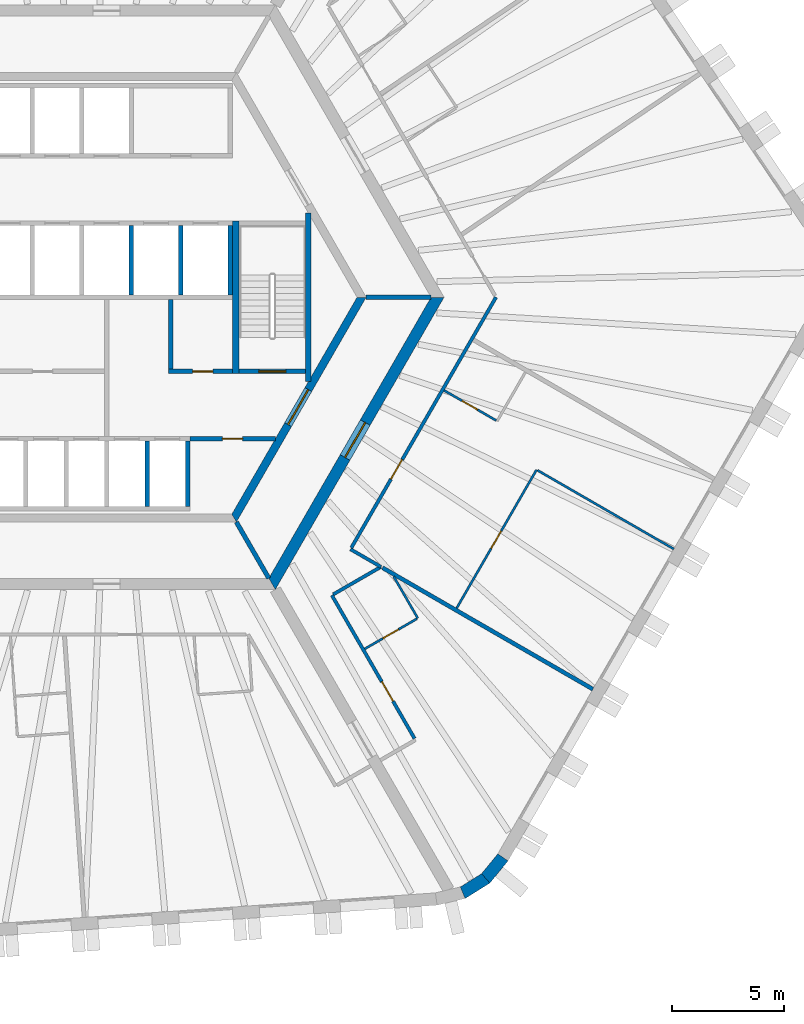
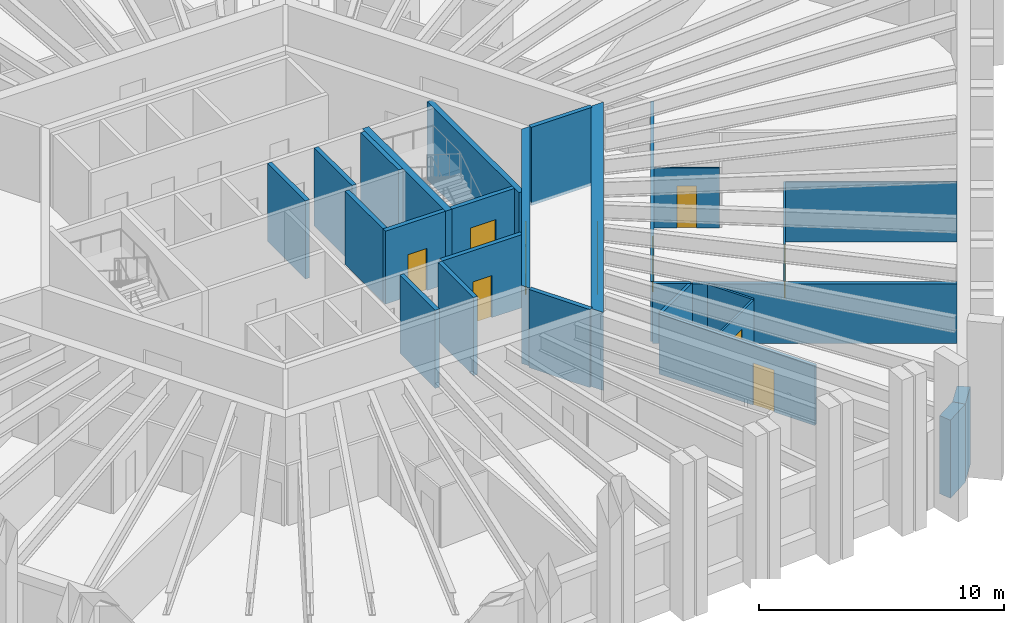
# One storey, part 5 of 11: 27 walls, 10 doors, 10 openings.
"""IFC4 building model written with IfcOpenShell, lengths in metres."""

from ifc_helpers import new_model, si_unit, direction, frame, frame_2d, origin, place, context, subcontext, project, spatial, polyline, rectangle, outline, extrude, material, layer, layer_set, type_object, element, fill, save


model = new_model("IFC4")

# Units and contexts
model_context = context("Model", 3, precision=1e-05, world=origin(), true_north=direction((0.0, 1.0)))
body_context = subcontext(model_context, "Body", "Model", "MODEL_VIEW")
ifc_project = project(units=[si_unit("LENGTHUNIT", "METRE"), si_unit("AREAUNIT", "SQUARE_METRE"), si_unit("VOLUMEUNIT", "CUBIC_METRE"), si_unit("PLANEANGLEUNIT", "RADIAN"), si_unit("MASSUNIT", "GRAM", prefix="KILO")], contexts=[model_context])

# Site, building, storey
site_placement = place(None, origin())
site = spatial("IfcSite", under=ifc_project, at=site_placement, CompositionType="ELEMENT")
building_placement = place(site_placement, origin())
building = spatial("IfcBuilding", under=site, at=building_placement, Name="Tarnside Tower", CompositionType="ELEMENT")
storey_placement = place(building_placement, frame((0.0, 0.0, 207.300048828125)))
storey = spatial("IfcBuildingStorey", under=building, at=storey_placement, Name="L49", CompositionType="ELEMENT", Elevation=207.300048828125)

# Wall
ifc_material_1 = material(Name="Gypsum board partition on steel studs", Category="steel")
ifc_layer_1 = layer(ifc_material_1, 0.10009765625)
ifc_layer_set_1 = layer_set([ifc_layer_1], Name="Bathroom wall 100")
wall_type_1 = type_object("IfcWallType", Name="Bathroom wall 100", PredefinedType="PARTITIONING", material=ifc_layer_set_1)
wall_1_placement = place(storey_placement, frame((12.7724609375, -12.4228515625, 0.0), z_axis=(0.0, 0.0, 1.0), x_axis=(0.500061136393, -0.865990103794, 0.0)))
element("IfcWall", 1, at=wall_1_placement, inside=storey, type_object=wall_type_1, Name="Bathroom wall 16095", PredefinedType="PARTITIONING", context=body_context, shape_type="SweptSolid", body=[
    extrude(rectangle(XDim=2.142333984375, YDim=0.10009765625, at=frame_2d((1.0712890625, 0.0))), origin(), (0.0, 0.0, 1.0), 2.98779296875),
])

# Wall, opening, door
wall_2_placement = place(storey_placement, frame((13.80029296875, -14.302978515625, 0.0), z_axis=(0.0, 0.0, 1.0), x_axis=(-0.866021425885, -0.500006889861, 0.0)))
wall_2 = element("IfcWall", 2, at=wall_2_placement, inside=storey, type_object=wall_type_1, Name="Bathroom wall 16096", PredefinedType="PARTITIONING", context=body_context, shape_type="SweptSolid", body=[
    extrude(rectangle(XDim=2.6748046875, YDim=0.10009765625, at=frame_2d((1.33740234375, 0.0))), origin(), (0.0, 0.0, 1.0), 2.98779296875),
])
opening_1_placement = place(wall_2_placement, frame((0.949951171875, 0.0, 0.0)))
opening_1 = element("IfcOpeningElement", 3, at=opening_1_placement, cuts=wall_2, Name="Opening D-B1", PredefinedType="OPENING", context=body_context, shape_type="SweptSolid", body=[
    extrude(rectangle(XDim=0.800048828125, YDim=2.10009765625, at=frame_2d((0.39990234375, 1.050048828125))), frame((0.0, 0.06005859375, 0.0), z_axis=(0.0, -1.0, 0.0), x_axis=(1.0, 0.0, 0.0)), (0.0, 0.0, 1.0), 0.1201171875),
])
ifc_material_2 = material(Name="Timber door leaf", Category="wood")
door_type_1 = type_object("IfcDoorType", Name="Bathroom door 800", OperationType="NOTDEFINED", PredefinedType="DOOR", material=ifc_material_2)
door_1_placement = place(opening_1_placement, origin())
door_1 = element("IfcDoor", 4, at=door_1_placement, inside=storey, type_object=door_type_1, Name="Bathroom door 16026", OperationType="SINGLE_SWING_RIGHT", OverallHeight=2.10009765625, OverallWidth=0.800048828125, PredefinedType="DOOR", context=body_context, shape_type="SweptSolid", body=[
    extrude(rectangle(XDim=0.800048828125, YDim=2.10009765625, at=frame_2d((0.39990234375, 1.050048828125))), frame((0.0, 0.02490234375, 0.0), z_axis=(0.0, -1.0, 0.0), x_axis=(1.0, 0.0, 0.0)), (0.0, 0.0, 1.0), 0.050048828125),
])
fill(opening_1, door_1)

wall_3_placement = place(storey_placement, frame((17.330810546875, -5.48193359375, 0.0), z_axis=(0.0, 0.0, 1.0), x_axis=(-0.86604424267, 0.499967368674, 0.0)))
wall_3 = element("IfcWall", 5, at=wall_3_placement, inside=storey, type_object=wall_type_1, Name="Bathroom wall 16101", PredefinedType="PARTITIONING", context=body_context, shape_type="SweptSolid", body=[
    extrude(rectangle(XDim=2.675048828125, YDim=0.10009765625, at=frame_2d((1.33740234375, 0.0))), origin(), (0.0, 0.0, 1.0), 2.98779296875),
])
opening_2_placement = place(wall_3_placement, frame((0.949951171875, 0.0, 0.0)))
opening_2 = element("IfcOpeningElement", 6, at=opening_2_placement, cuts=wall_3, Name="Opening D-B1", PredefinedType="OPENING", context=body_context, shape_type="SweptSolid", body=[
    extrude(rectangle(XDim=0.800048828125, YDim=2.10009765625, at=frame_2d((0.39990234375, 1.050048828125))), frame((0.0, 0.06005859375, 0.0), z_axis=(0.0, -1.0, 0.0), x_axis=(1.0, 0.0, 0.0)), (0.0, 0.0, 1.0), 0.1201171875),
])
door_2_placement = place(opening_2_placement, origin())
door_2 = element("IfcDoor", 7, at=door_2_placement, inside=storey, type_object=door_type_1, Name="Bathroom door 16028", OperationType="SINGLE_SWING_LEFT", OverallHeight=2.10009765625, OverallWidth=0.800048828125, PredefinedType="DOOR", context=body_context, shape_type="SweptSolid", body=[
    extrude(rectangle(XDim=0.800048828125, YDim=2.10009765625, at=frame_2d((0.39990234375, 1.050048828125))), frame((0.0, 0.02490234375, 0.0), z_axis=(0.0, -1.0, 0.0), x_axis=(1.0, 0.0, 0.0)), (0.0, 0.0, 1.0), 0.050048828125),
])
fill(opening_2, door_2)

ifc_material_3 = material(Name="Concrete C50/60", Category="concrete")
ifc_layer_2 = layer(ifc_material_3, 0.35009765625)
ifc_layer_set_2 = layer_set([ifc_layer_2], Name="Core block wall 350 C50/60")
wall_type_2 = type_object("IfcWallType", Name="Core block wall 350 C50/60", PredefinedType="SHEAR", material=ifc_layer_set_2)
wall_4_placement = place(storey_placement, frame((5.672607421875, -9.824951171875, -0.150146484375), z_axis=(0.0, 0.0, 1.0), x_axis=(0.499995046907, 0.866028263435, 0.0)))
wall_4 = element("IfcWall", 8, at=wall_4_placement, inside=storey, type_object=wall_type_2, Name="L49 core block wall face 5", PredefinedType="SHEAR", context=body_context, shape_type="SweptSolid", body=[
    extrude(outline(polyline([(-0.10107421875, -0.175048828125), (11.44580078125, -0.175048828125), (11.24365234375, 0.175048828125), (0.10107421875, 0.175048828125), (-0.10107421875, -0.175048828125)])), origin(), (0.0, 0.0, 1.0), 3.900146484375),
])
opening_3_placement = place(wall_4_placement, frame((4.80126953125, 0.0, 0.14990234375)))
opening_3 = element("IfcOpeningElement", 9, at=opening_3_placement, cuts=wall_4, Name="Opening CD-FFL", PredefinedType="OPENING", context=body_context, shape_type="SweptSolid", body=[
    extrude(rectangle(XDim=1.800048828125, YDim=2.39990234375, at=frame_2d((0.89990234375, 1.199951171875))), frame((0.0, 0.18505859375, 0.0), z_axis=(0.0, -1.0, 0.0), x_axis=(1.0, 0.0, 0.0)), (0.0, 0.0, 1.0), 0.3701171875),
])
ifc_material_4 = material(Name="Steel fire door", Category="steel")
door_type_2 = type_object("IfcDoorType", Name="Firefighting lobby double door FD60S 1800x2400", OperationType="NOTDEFINED", PredefinedType="DOOR", material=ifc_material_4)
door_3_placement = place(opening_3_placement, origin())
door_3 = element("IfcDoor", 10, at=door_3_placement, inside=storey, type_object=door_type_2, Name="L49 lobby block door P4", OperationType="DOUBLE_DOOR_SINGLE_SWING", OverallHeight=2.39990234375, OverallWidth=1.800048828125, PredefinedType="DOOR", context=body_context, shape_type="SweptSolid", body=[
    extrude(rectangle(XDim=1.800048828125, YDim=2.39990234375, at=frame_2d((0.89990234375, 1.199951171875))), frame((0.0, 0.02490234375, 0.0), z_axis=(0.0, -1.0, 0.0), x_axis=(1.0, 0.0, 0.0)), (0.0, 0.0, 1.0), 0.050048828125),
])
fill(opening_3, door_3)

ifc_material_5 = material(Name="Concrete C40/50", Category="concrete")
ifc_layer_3 = layer(ifc_material_5, 0.199951171875)
ifc_layer_set_3 = layer_set([ifc_layer_3], Name="Core room partition 200 C40/50")
wall_type_3 = type_object("IfcWallType", Name="Core room partition 200 C40/50", PredefinedType="PARTITIONING", material=ifc_layer_set_3)
wall_5_placement = place(storey_placement, frame((2.75, -3.300048828125, 0.0), z_axis=(0.0, 0.0, 1.0), x_axis=(1.0, 0.0, 0.0)))
wall_5 = element("IfcWall", 11, at=wall_5_placement, inside=storey, type_object=wall_type_3, Name="L49 core partition R3S1", PredefinedType="PARTITIONING", context=body_context, shape_type="SweptSolid", body=[
    extrude(rectangle(XDim=2.85009765625, YDim=0.199951171875, at=frame_2d((1.425048828125, 0.0))), origin(), (0.0, 0.0, 1.0), 3.64990234375),
])
opening_4_placement = place(wall_5_placement, frame((1.074951171875, 0.0, 0.0)))
opening_4 = element("IfcOpeningElement", 12, at=opening_4_placement, cuts=wall_5, Name="Opening CD-room", PredefinedType="OPENING", context=body_context, shape_type="SweptSolid", body=[
    extrude(rectangle(XDim=0.89990234375, YDim=2.10009765625, at=frame_2d((0.449951171875, 1.050048828125))), frame((0.0, 0.10986328125, 0.0), z_axis=(0.0, -1.0, 0.0), x_axis=(1.0, 0.0, 0.0)), (0.0, 0.0, 1.0), 0.219970703125),
])
door_type_3 = type_object("IfcDoorType", Name="Room door FD60 900x2100", OperationType="NOTDEFINED", PredefinedType="DOOR", material=ifc_material_4)
door_4_placement = place(opening_4_placement, origin())
door_4 = element("IfcDoor", 13, at=door_4_placement, inside=storey, type_object=door_type_3, Name="L49 core room door SR1", OperationType="SINGLE_SWING_LEFT", OverallHeight=2.10009765625, OverallWidth=0.89990234375, PredefinedType="DOOR", context=body_context, shape_type="SweptSolid", body=[
    extrude(rectangle(XDim=0.89990234375, YDim=2.10009765625, at=frame_2d((0.449951171875, 1.050048828125))), frame((0.0, 0.02490234375, 0.0), z_axis=(0.0, -1.0, 0.0), x_axis=(1.0, 0.0, 0.0)), (0.0, 0.0, 1.0), 0.050048828125),
])
fill(opening_4, door_4)

# Wall
wall_6_placement = place(storey_placement, frame((2.85009765625, -3.199951171875, 0.0), z_axis=(0.0, 0.0, 1.0), x_axis=(0.0, 1.0, 0.0)))
element("IfcWall", 14, at=wall_6_placement, inside=storey, type_object=wall_type_3, Name="L49 core partition R3P1a", PredefinedType="PARTITIONING", context=body_context, shape_type="SweptSolid", body=[
    extrude(rectangle(XDim=3.099853515625, YDim=0.199951171875, at=frame_2d((1.5498046875, 0.0))), origin(), (0.0, 0.0, 1.0), 3.64990234375),
])

# Wall, opening, door
wall_7_placement = place(storey_placement, frame((3.699951171875, -6.300048828125, 0.0), z_axis=(0.0, 0.0, 1.0), x_axis=(1.0, 0.0, 0.0)))
wall_7 = element("IfcWall", 15, at=wall_7_placement, inside=storey, type_object=wall_type_3, Name="L49 core partition R4X", PredefinedType="PARTITIONING", context=body_context, shape_type="SweptSolid", body=[
    extrude(rectangle(XDim=3.8056640625, YDim=0.199951171875, at=frame_2d((1.90283203125, 0.0))), origin(), (0.0, 0.0, 1.0), 3.64990234375),
])
opening_5_placement = place(wall_7_placement, frame((1.452880859375, 0.0, 0.0)))
opening_5 = element("IfcOpeningElement", 16, at=opening_5_placement, cuts=wall_7, Name="Opening CD-room", PredefinedType="OPENING", context=body_context, shape_type="SweptSolid", body=[
    extrude(rectangle(XDim=0.89990234375, YDim=2.10009765625, at=frame_2d((0.449951171875, 1.050048828125))), frame((0.0, 0.10986328125, 0.0), z_axis=(0.0, -1.0, 0.0), x_axis=(1.0, 0.0, 0.0)), (0.0, 0.0, 1.0), 0.219970703125),
])
door_5_placement = place(opening_5_placement, origin())
door_5 = element("IfcDoor", 17, at=door_5_placement, inside=storey, type_object=door_type_3, Name="L49 core room door RX", OperationType="SINGLE_SWING_LEFT", OverallHeight=2.10009765625, OverallWidth=0.89990234375, PredefinedType="DOOR", context=body_context, shape_type="SweptSolid", body=[
    extrude(rectangle(XDim=0.89990234375, YDim=2.10009765625, at=frame_2d((0.449951171875, 1.050048828125))), frame((0.0, 0.02490234375, 0.0), z_axis=(0.0, -1.0, 0.0), x_axis=(1.0, 0.0, 0.0)), (0.0, 0.0, 1.0), 0.050048828125),
])
fill(opening_5, door_5)

ifc_material_6 = material(Name="Concrete C70/85", Category="concrete")
ifc_layer_4 = layer(ifc_material_6, 0.5)
ifc_layer_set_4 = layer_set([ifc_layer_4], Name="Core wall Z2 500 C70/85")
wall_type_4 = type_object("IfcWallType", Name="Core wall Z2 500 C70/85", PredefinedType="SHEAR", material=ifc_layer_set_4)
wall_8_placement = place(storey_placement, frame((7.361083984375, -12.75, -0.150146484375), z_axis=(0.0, 0.0, 1.0), x_axis=(0.50000571537, 0.866022103989, 0.0)))
wall_8 = element("IfcWall", 18, at=wall_8_placement, inside=storey, type_object=wall_type_4, Name="L49 core wall face 5", PredefinedType="SHEAR", context=body_context, shape_type="SweptSolid", body=[
    extrude(outline(polyline([(-0.144287109375, -0.25), (14.86669921875, -0.25), (14.578125, 0.25), (0.144287109375, 0.25), (-0.144287109375, -0.25)])), origin(), (0.0, 0.0, 1.0), 3.900146484375),
])
opening_6_placement = place(wall_8_placement, frame((6.489990234375, 0.0, 0.14990234375)))
opening_6 = element("IfcOpeningElement", 19, at=opening_6_placement, cuts=wall_8, Name="Opening CD-FFL", PredefinedType="OPENING", context=body_context, shape_type="SweptSolid", body=[
    extrude(rectangle(XDim=1.800048828125, YDim=2.39990234375, at=frame_2d((0.89990234375, 1.199951171875))), frame((0.0, 0.260009765625, 0.0), z_axis=(0.0, -1.0, 0.0), x_axis=(1.0, 0.0, 0.0)), (0.0, 0.0, 1.0), 0.52001953125),
])
door_6_placement = place(opening_6_placement, origin())
door_6 = element("IfcDoor", 20, at=door_6_placement, inside=storey, type_object=door_type_2, Name="L49 core door P4", OperationType="DOUBLE_DOOR_SINGLE_SWING", OverallHeight=2.39990234375, OverallWidth=1.800048828125, PredefinedType="DOOR", context=body_context, shape_type="SweptSolid", body=[
    extrude(rectangle(XDim=1.800048828125, YDim=2.39990234375, at=frame_2d((0.89990234375, 1.199951171875))), frame((0.0, 0.02490234375, 0.0), z_axis=(0.0, -1.0, 0.0), x_axis=(1.0, 0.0, 0.0)), (0.0, 0.0, 1.0), 0.050048828125),
])
fill(opening_6, door_6)

ifc_layer_5 = layer(ifc_material_1, 0.14990234375)
ifc_layer_set_5 = layer_set([ifc_layer_5], Name="Corridor wall 150 EI 60")
wall_type_5 = type_object("IfcWallType", Name="Corridor wall 150 EI 60", PredefinedType="PARTITIONING", material=ifc_layer_set_5)
wall_9_placement = place(storey_placement, frame((13.69921875, -19.6279296875, 0.0), z_axis=(0.0, 0.0, 1.0), x_axis=(-0.499995202058, 0.86602817386, 0.0)))
wall_9 = element("IfcWall", 21, at=wall_9_placement, inside=storey, type_object=wall_type_5, Name="Corridor wall 16036", PredefinedType="PARTITIONING", context=body_context, shape_type="SweptSolid", body=[
    extrude(rectangle(XDim=7.36083984375, YDim=0.14990234375, at=frame_2d((3.680419921875, 0.0))), origin(), (0.0, 0.0, 1.0), 2.98779296875),
])
opening_7_placement = place(wall_9_placement, frame((1.91796875, 0.0, 0.0)))
opening_7 = element("IfcOpeningElement", 22, at=opening_7_placement, cuts=wall_9, Name="Opening D-E1", PredefinedType="OPENING", context=body_context, shape_type="SweptSolid", body=[
    extrude(rectangle(XDim=1.0, YDim=2.10009765625, at=frame_2d((0.5, 1.050048828125))), frame((0.0, 0.0849609375, 0.0), z_axis=(0.0, -1.0, 0.0), x_axis=(1.0, 0.0, 0.0)), (0.0, 0.0, 1.0), 0.169921875),
])
door_type_4 = type_object("IfcDoorType", Name="Unit entrance door 1000 FD30S", OperationType="NOTDEFINED", PredefinedType="DOOR", material=ifc_material_2)
door_7_placement = place(opening_7_placement, origin())
door_7 = element("IfcDoor", 23, at=door_7_placement, inside=storey, type_object=door_type_4, Name="Unit door 16025", OperationType="SINGLE_SWING_LEFT", OverallHeight=2.10009765625, OverallWidth=1.0, PredefinedType="DOOR", context=body_context, shape_type="SweptSolid", body=[
    extrude(rectangle(XDim=1.0, YDim=2.10009765625, at=frame_2d((0.5, 1.050048828125))), frame((0.0, 0.02490234375, 0.0), z_axis=(0.0, -1.0, 0.0), x_axis=(1.0, 0.0, 0.0)), (0.0, 0.0, 1.0), 0.050048828125),
])
fill(opening_7, door_7)

# Walls
wall_10_placement = place(storey_placement, frame((10.083740234375, -13.215576171875, 0.0), z_axis=(0.0, 0.0, 1.0), x_axis=(0.866026229868, 0.499998569178, 0.0)))
element("IfcWall", 24, at=wall_10_placement, inside=storey, type_object=wall_type_5, Name="Corridor wall 16038", PredefinedType="PARTITIONING", context=body_context, shape_type="SweptSolid", body=[
    extrude(rectangle(XDim=2.44921875, YDim=0.14990234375, at=frame_2d((1.224609375, 0.0))), origin(), (0.0, 0.0, 1.0), 2.98779296875),
])
wall_11_placement = place(storey_placement, frame((12.20751953125, -11.99267578125, 0.0), z_axis=(0.0, 0.0, 1.0), x_axis=(-0.866011891242, 0.50002340368, 0.0)))
element("IfcWall", 25, at=wall_11_placement, inside=storey, type_object=wall_type_5, Name="Corridor wall 16039", PredefinedType="PARTITIONING", context=body_context, shape_type="SweptSolid", body=[
    extrude(rectangle(XDim=1.568359375, YDim=0.14990234375, at=frame_2d((0.7841796875, 0.0))), origin(), (0.0, 0.0, 1.0), 2.98779296875),
])

# Wall, opening, door
wall_12_placement = place(storey_placement, frame((10.88671875, -11.1435546875, 0.0), z_axis=(0.0, 0.0, 1.0), x_axis=(0.500006037985, 0.866021917724, 0.0)))
wall_12 = element("IfcWall", 26, at=wall_12_placement, inside=storey, type_object=wall_type_5, Name="Corridor wall 16040", PredefinedType="PARTITIONING", context=body_context, shape_type="SweptSolid", body=[
    extrude(rectangle(XDim=12.867431640625, YDim=0.14990234375, at=frame_2d((6.43359375, 0.0))), origin(), (0.0, 0.0, 1.0), 2.98779296875),
])
opening_8_placement = place(wall_12_placement, frame((3.52490234375, 0.0, 0.0)))
opening_8 = element("IfcOpeningElement", 27, at=opening_8_placement, cuts=wall_12, Name="Opening D-E1", PredefinedType="OPENING", context=body_context, shape_type="SweptSolid", body=[
    extrude(rectangle(XDim=1.0, YDim=2.10009765625, at=frame_2d((0.5, 1.050048828125))), frame((0.0, 0.0849609375, 0.0), z_axis=(0.0, -1.0, 0.0), x_axis=(1.0, 0.0, 0.0)), (0.0, 0.0, 1.0), 0.169921875),
])
door_8_placement = place(opening_8_placement, origin())
door_8 = element("IfcDoor", 28, at=door_8_placement, inside=storey, type_object=door_type_4, Name="Unit door 16027", OperationType="SINGLE_SWING_RIGHT", OverallHeight=2.10009765625, OverallWidth=1.0, PredefinedType="DOOR", context=body_context, shape_type="SweptSolid", body=[
    extrude(rectangle(XDim=1.0, YDim=2.10009765625, at=frame_2d((0.5, 1.050048828125))), frame((0.0, 0.02490234375, 0.0), z_axis=(0.0, -1.0, 0.0), x_axis=(1.0, 0.0, 0.0)), (0.0, 0.0, 1.0), 0.050048828125),
])
fill(opening_8, door_8)

# Walls
ifc_layer_6 = layer(ifc_material_1, 0.179931640625)
ifc_layer_set_6 = layer_set([ifc_layer_6], Name="Demising wall 180 EI 60")
wall_type_6 = type_object("IfcWallType", Name="Demising wall 180 EI 60", PredefinedType="PARTITIONING", material=ifc_layer_set_6)
wall_13_placement = place(storey_placement, frame((21.63134765625, -17.433349609375, 0.0), z_axis=(0.0, 0.0, 1.0), x_axis=(-0.866029744906, 0.499992480882, 0.0)))
element("IfcWall", 29, at=wall_13_placement, inside=storey, type_object=wall_type_6, Name="Demising wall 16097", PredefinedType="PARTITIONING", context=body_context, shape_type="SweptSolid", body=[
    extrude(rectangle(XDim=10.800537109375, YDim=0.179931640625, at=frame_2d((5.400390625, 0.0))), origin(), (0.0, 0.0, 1.0), 2.98779296875),
])
ifc_layer_7 = layer(ifc_material_5, 0.199951171875)
ifc_layer_set_7 = layer_set([ifc_layer_7], Name="Lift shaft wall 200 C40/50")
wall_type_7 = type_object("IfcWallType", Name="Lift shaft wall 200 C40/50", PredefinedType="SHEAR", material=ifc_layer_set_7)
for number, where, z_axis, x_axis, name in (
    (30, (1.10009765625, 0.10009765625, -0.25), (0.0, 0.0, 1.0), (0.0, 1.0, 0.0), "L49 lift shaft partition R24"),
    (31, (3.300048828125, 0.10009765625, -0.25), (0.0, 0.0, 1.0), (0.0, 1.0, 0.0), "L49 lift shaft partition R25"),
    (32, (5.5, 0.10009765625, -0.25), (0.0, 0.0, 1.0), (0.0, 1.0, 0.0), "L49 lift shaft partition R26"),
):
    element("IfcWall", number, at=place(storey_placement, frame(where, z_axis=z_axis, x_axis=x_axis)), inside=storey, type_object=wall_type_7, Name=name, PredefinedType="SHEAR", context=body_context, shape_type="SweptSolid", body=[
        extrude(rectangle(XDim=3.099853515625, YDim=0.199951171875, at=frame_2d((1.5498046875, 0.0))), origin(), (0.0, 0.0, 1.0), 3.89990234375),
    ])
for number, where, z_axis, x_axis, name in (
    (33, (1.800048828125, -9.300048828125, -0.25), (0.0, 0.0, 1.0), (0.0, 1.0, 0.0), "L49 lift shaft partition R45"),
    (34, (3.60009765625, -9.300048828125, -0.25), (0.0, 0.0, 1.0), (0.0, 1.0, 0.0), "L49 lift shaft partition R46"),
):
    element("IfcWall", number, at=place(storey_placement, frame(where, z_axis=z_axis, x_axis=x_axis)), inside=storey, type_object=wall_type_7, Name=name, PredefinedType="SHEAR", context=body_context, shape_type="SweptSolid", body=[
        extrude(rectangle(XDim=2.900146484375, YDim=0.199951171875, at=frame_2d((1.4501953125, 0.0))), origin(), (0.0, 0.0, 1.0), 3.89990234375),
    ])
for number, where, z_axis, x_axis, name in (
    (35, (11.547119140625, 0.0, -0.150146484375), (0.0, 0.0, 1.0), (1.0, 0.0, 0.0), "L49 core partition AR0"),
    (36, (5.7734375, -10.0, -0.150146484375), (0.0, 0.0, 1.0), (0.499995765644, -0.866027848477, 0.0), "L49 core partition AR300"),
):
    element("IfcWall", number, at=place(storey_placement, frame(where, z_axis=z_axis, x_axis=x_axis)), inside=storey, type_object=wall_type_7, Name=name, PredefinedType="SHEAR", context=body_context, shape_type="SweptSolid", body=[
        extrude(rectangle(XDim=2.88671875, YDim=0.199951171875, at=frame_2d((1.443359375, 0.0))), origin(), (0.0, 0.0, 1.0), 3.900146484375),
    ])

# Wall, opening, door
wall_14_placement = place(storey_placement, frame((5.89990234375, -3.300048828125, -0.25), z_axis=(0.0, 0.0, 1.0), x_axis=(1.0, 0.0, 0.0)))
wall_14 = element("IfcWall", 37, at=wall_14_placement, inside=storey, type_object=wall_type_7, Name="L49 stair 1 enclosure cap wall s", PredefinedType="SHEAR", context=body_context, shape_type="SweptSolid", body=[
    extrude(rectangle(XDim=2.9501953125, YDim=0.199951171875, at=frame_2d((1.47509765625, 0.0))), origin(), (0.0, 0.0, 1.0), 3.89990234375),
])
opening_9_placement = place(wall_14_placement, frame((0.875, 0.0, 0.25)))
opening_9 = element("IfcOpeningElement", 38, at=opening_9_placement, cuts=wall_14, Name="Opening CD-STR", PredefinedType="OPENING", context=body_context, shape_type="SweptSolid", body=[
    extrude(rectangle(XDim=1.199951171875, YDim=2.39990234375, at=frame_2d((0.60009765625, 1.199951171875))), frame((0.0, 0.10986328125, 0.0), z_axis=(0.0, -1.0, 0.0), x_axis=(1.0, 0.0, 0.0)), (0.0, 0.0, 1.0), 0.219970703125),
])
door_type_5 = type_object("IfcDoorType", Name="Stair door FD60S 1200x2400", OperationType="NOTDEFINED", PredefinedType="DOOR", material=ifc_material_4)
door_9_placement = place(opening_9_placement, origin())
door_9 = element("IfcDoor", 39, at=door_9_placement, inside=storey, type_object=door_type_5, Name="L49 stair 1 door", OperationType="SINGLE_SWING_LEFT", OverallHeight=2.39990234375, OverallWidth=1.199951171875, PredefinedType="DOOR", context=body_context, shape_type="SweptSolid", body=[
    extrude(rectangle(XDim=1.199951171875, YDim=2.39990234375, at=frame_2d((0.60009765625, 1.199951171875))), frame((0.0, 0.02490234375, 0.0), z_axis=(0.0, -1.0, 0.0), x_axis=(1.0, 0.0, 0.0)), (0.0, 0.0, 1.0), 0.050048828125),
])
fill(opening_9, door_9)

ifc_layer_8 = layer(ifc_material_1, 0.10009765625)
ifc_layer_set_8 = layer_set([ifc_layer_8], Name="Partition 100")
wall_type_8 = type_object("IfcWallType", Name="Partition 100", PredefinedType="PARTITIONING", material=ifc_layer_set_8)
wall_15_placement = place(storey_placement, frame((15.57080078125, -13.83056640625, 0.0), z_axis=(0.0, 0.0, 1.0), x_axis=(0.5000167099, 0.866015756104, 0.0)))
wall_15 = element("IfcWall", 40, at=wall_15_placement, inside=storey, type_object=wall_type_8, Name="Partition wall 16102", PredefinedType="PARTITIONING", context=body_context, shape_type="SweptSolid", body=[
    extrude(rectangle(XDim=7.110107421875, YDim=0.10009765625, at=frame_2d((3.55517578125, 0.0))), origin(), (0.0, 0.0, 1.0), 2.98779296875),
])
opening_10_placement = place(wall_15_placement, frame((3.06005859375, 0.0, 0.0)))
opening_10 = element("IfcOpeningElement", 41, at=opening_10_placement, cuts=wall_15, Name="Opening D-I1", PredefinedType="OPENING", context=body_context, shape_type="SweptSolid", body=[
    extrude(rectangle(XDim=0.89990234375, YDim=2.10009765625, at=frame_2d((0.449951171875, 1.050048828125))), frame((0.0, 0.06005859375, 0.0), z_axis=(0.0, -1.0, 0.0), x_axis=(1.0, 0.0, 0.0)), (0.0, 0.0, 1.0), 0.1201171875),
])
door_type_6 = type_object("IfcDoorType", Name="Internal door 900", OperationType="NOTDEFINED", PredefinedType="DOOR", material=ifc_material_2)
door_10_placement = place(opening_10_placement, origin())
door_10 = element("IfcDoor", 42, at=door_10_placement, inside=storey, type_object=door_type_6, Name="Internal door 16029", OperationType="SINGLE_SWING_RIGHT", OverallHeight=2.10009765625, OverallWidth=0.89990234375, PredefinedType="DOOR", context=body_context, shape_type="SweptSolid", body=[
    extrude(rectangle(XDim=0.89990234375, YDim=2.10009765625, at=frame_2d((0.449951171875, 1.050048828125))), frame((0.0, 0.02490234375, 0.0), z_axis=(0.0, -1.0, 0.0), x_axis=(1.0, 0.0, 0.0)), (0.0, 0.0, 1.0), 0.050048828125),
])
fill(opening_10, door_10)

# Walls
wall_16_placement = place(storey_placement, frame((19.169189453125, -7.697998046875, 0.0), z_axis=(0.0, 0.0, 1.0), x_axis=(0.866028190633, -0.499995173006, 0.0)))
element("IfcWall", 43, at=wall_16_placement, inside=storey, type_object=wall_type_8, Name="Partition wall 16103", PredefinedType="PARTITIONING", context=body_context, shape_type="SweptSolid", body=[
    extrude(rectangle(XDim=7.0, YDim=0.10009765625, at=frame_2d((3.5, 0.0))), origin(), (0.0, 0.0, 1.0), 2.98779296875),
])
ifc_layer_9 = layer(ifc_material_5, 0.25)
ifc_layer_set_9 = layer_set([ifc_layer_9], Name="Stair enclosure wall 250 C40/50")
wall_type_9 = type_object("IfcWallType", Name="Stair enclosure wall 250 C40/50", PredefinedType="SHEAR", material=ifc_layer_set_9)
wall_17_placement = place(storey_placement, frame((8.97509765625, -3.7548828125, -0.25), z_axis=(0.0, 0.0, 1.0), x_axis=(0.0, 1.0, 0.0)))
element("IfcWall", 44, at=wall_17_placement, inside=storey, type_object=wall_type_9, Name="L49 stair 1 enclosure wall outer", PredefinedType="SHEAR", context=body_context, shape_type="SweptSolid", body=[
    extrude(rectangle(XDim=7.509765625, YDim=0.25, at=frame_2d((3.7548828125, 0.0))), origin(), (0.0, 0.0, 1.0), 3.89990234375),
])
ifc_layer_10 = layer(ifc_material_5, 0.300048828125)
ifc_layer_set_10 = layer_set([ifc_layer_10], Name="Stair enclosure wall 300 C40/50")
wall_type_10 = type_object("IfcWallType", Name="Stair enclosure wall 300 C40/50", PredefinedType="SHEAR", material=ifc_layer_set_10)
wall_18_placement = place(storey_placement, frame((5.75, -3.39990234375, -0.25), z_axis=(0.0, 0.0, 1.0), x_axis=(0.0, 1.0, 0.0)))
element("IfcWall", 45, at=wall_18_placement, inside=storey, type_object=wall_type_10, Name="L49 stair 1 enclosure wall inner", PredefinedType="SHEAR", context=body_context, shape_type="SweptSolid", body=[
    extrude(rectangle(XDim=6.7998046875, YDim=0.300048828125, at=frame_2d((3.39990234375, 0.0))), origin(), (0.0, 0.0, 1.0), 3.89990234375),
])
ifc_material_7 = material(Name="Facing brick", Category="masonry")
ifc_layer_11 = layer(ifc_material_7, 0.10205078125)
ifc_material_8 = material(Name="Concrete C60/75 precast", Category="concrete")
ifc_layer_12 = layer(ifc_material_8, 0.347900390625)
ifc_material_9 = material(Name="Mineral wool insulation")
ifc_layer_13 = layer(ifc_material_9, 0.10009765625)
ifc_layer_set_11 = layer_set([ifc_layer_11, ifc_layer_12, ifc_layer_13], Name="Tube wall 550 brick faced")
wall_type_11 = type_object("IfcWallType", Name="Tube wall 550 brick faced", PredefinedType="SOLIDWALL", material=ifc_layer_set_11)
wall_19_placement = place(storey_placement, frame((15.839599609375, -26.48876953125, -0.150146484375), z_axis=(0.0, 0.0, 1.0), x_axis=(0.848009655012, 0.52998077796, 0.0)))
element("IfcWall", 46, at=wall_19_placement, inside=storey, type_object=wall_type_11, Name="Tube wall L49 F4 chord 14", PredefinedType="SOLIDWALL", context=body_context, shape_type="SweptSolid", body=[
    extrude(outline(polyline([(-0.045166015625, -0.27490234375), (1.25341796875, -0.27490234375), (1.1630859375, 0.27490234375), (0.045166015625, 0.27490234375), (-0.045166015625, -0.27490234375)])), origin(), (0.0, 0.0, 1.0), 3.900146484375),
])
wall_20_placement = place(storey_placement, frame((16.8642578125, -25.848388671875, -0.150146484375), z_axis=(0.0, 0.0, 1.0), x_axis=(0.633842757806, 0.773461930787, 0.0)))
element("IfcWall", 47, at=wall_20_placement, inside=storey, type_object=wall_type_11, Name="Tube wall L49 F4 chord 15", PredefinedType="SOLIDWALL", context=body_context, shape_type="SweptSolid", body=[
    extrude(outline(polyline([(-0.045166015625, -0.27490234375), (1.230712890625, -0.27490234375), (1.185791015625, 0.27490234375), (0.045166015625, 0.27490234375), (-0.045166015625, -0.27490234375)])), origin(), (0.0, 0.0, 1.0), 3.900146484375),
])

save(model, "model.ifc")
